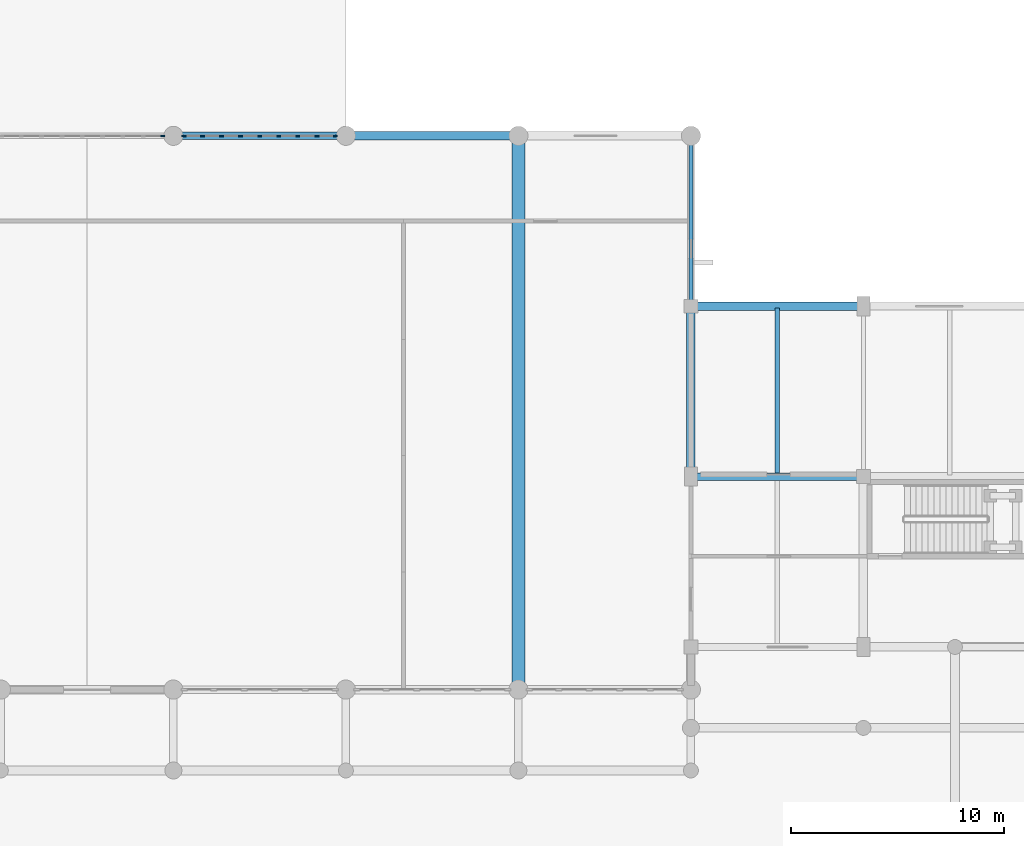
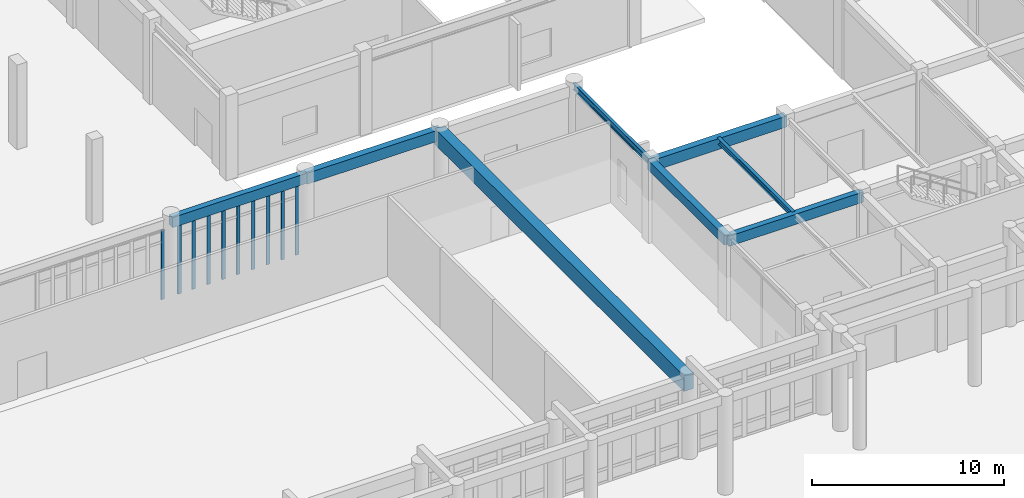
# One storey, part 11 of 62: 10 members, 8 beams, 2 elements without a shape of their own.
"""IFC4 building model written with IfcOpenShell, lengths in metres."""

from ifc_helpers import new_model, si_unit, direction, frame, origin, origin_2d, place, context, subcontext, project, spatial, rectangle, i_section, extrude, material, material_profile, profile_set, type_object, element, aggregate, save


model = new_model("IFC4")

# Units and contexts
model_context = context("Model", 3, precision=1e-05, world=origin(), true_north=direction((0.0, 1.0)))
body_context = subcontext(model_context, "Body", "Model", "MODEL_VIEW")
ifc_project = project(units=[si_unit("LENGTHUNIT", "METRE"), si_unit("AREAUNIT", "SQUARE_METRE"), si_unit("VOLUMEUNIT", "CUBIC_METRE"), si_unit("PLANEANGLEUNIT", "RADIAN"), si_unit("MASSUNIT", "GRAM", prefix="KILO")], contexts=[model_context])

# Site, building, storey
site_placement = place(None, origin())
site = spatial("IfcSite", under=ifc_project, at=site_placement, CompositionType="ELEMENT")
building_placement = place(site_placement, origin())
building = spatial("IfcBuilding", under=site, at=building_placement, Name="Tarnveldt Square Police Headquarters", CompositionType="ELEMENT")
storey_placement = place(building_placement, origin())
storey = spatial("IfcBuildingStorey", under=building, at=storey_placement, Name="L00", CompositionType="ELEMENT", Elevation=0.0)

# Beams
ifc_material_1 = material(Name="Concrete 40 MPa", Category="concrete")
ifc_material_profile_1 = material_profile(ifc_material_1, rectangle(XDim=0.39990234375, YDim=0.60009765625, at=origin_2d()), Name="RC-B400x600")
ifc_profile_set_1 = profile_set([ifc_material_profile_1], Name="Concrete 40 MPa")
beam_type_1 = type_object("IfcBeamType", Name="BM-RC400x600", PredefinedType="BEAM", material=ifc_profile_set_1)
beam_1_placement = place(storey_placement, frame((121.5, 32.0, 4.820068359375), z_axis=(0.0, 1.0, 0.0), x_axis=(-1.0, 0.0, 0.0)))
element("IfcBeam", 1, at=beam_1_placement, inside=storey, type_object=beam_type_1, Name="L01 Grid Girder Y-0425", PredefinedType="BEAM", context=body_context, shape_type="SweptSolid", body=[
    extrude(rectangle(XDim=0.39990234375, YDim=0.60009765625, at=origin_2d()), origin(), (0.0, 0.0, 1.0), 8.0),
])
ifc_material_profile_2 = material_profile(ifc_material_1, rectangle(XDim=0.39990234375, YDim=0.699951171875, at=origin_2d()), Name="RC-B400x700")
ifc_profile_set_2 = profile_set([ifc_material_profile_2], Name="Concrete 40 MPa")
beam_type_2 = type_object("IfcBeamType", Name="BM-RC400x700", PredefinedType="BEAM", material=ifc_profile_set_2)
beam_2_placement = place(storey_placement, frame((121.5, 40.0, 4.77001953125), z_axis=(1.0, 0.0, 0.0), x_axis=(0.0, 1.0, 0.0)))
element("IfcBeam", 2, at=beam_2_placement, inside=storey, type_object=beam_type_2, Name="L01 Grid Girder X-0267", PredefinedType="BEAM", context=body_context, shape_type="SweptSolid", body=[
    extrude(rectangle(XDim=0.39990234375, YDim=0.699951171875, at=origin_2d()), origin(), (0.0, 0.0, 1.0), 8.10009765625),
])
beam_3_placement = place(storey_placement, frame((105.300048828125, 48.0, 4.77001953125), z_axis=(1.0, 0.0, 0.0), x_axis=(0.0, 1.0, 0.0)))
element("IfcBeam", 3, at=beam_3_placement, inside=storey, type_object=beam_type_2, Name="L01 Grid Girder X-0278", PredefinedType="BEAM", context=body_context, shape_type="SweptSolid", body=[
    extrude(rectangle(XDim=0.39990234375, YDim=0.699951171875, at=origin_2d()), origin(), (0.0, 0.0, 1.0), 8.099853515625),
])
ifc_material_2 = material(Name="Concrete 50 MPa", Category="concrete")
ifc_material_profile_3 = material_profile(ifc_material_2, rectangle(XDim=0.60009765625, YDim=1.0, at=origin_2d()), Name="RC-B600x1000")
ifc_profile_set_3 = profile_set([ifc_material_profile_3], Name="Concrete 50 MPa")
beam_type_3 = type_object("IfcBeamType", Name="BM-RC600x1000", PredefinedType="BEAM", material=ifc_profile_set_3)
beam_4_placement = place(storey_placement, frame((113.39990234375, 22.0, 4.6201171875), z_axis=(0.0, 1.0, 0.0), x_axis=(-1.0, 0.0, 0.0)))
element("IfcBeam", 4, at=beam_4_placement, inside=storey, type_object=beam_type_3, Name="L01 Grid Girder Y-0419", PredefinedType="BEAM", context=body_context, shape_type="SweptSolid", body=[
    extrude(rectangle(XDim=0.60009765625, YDim=1.0, at=origin_2d()), origin(), (0.0, 0.0, 1.0), 26.0),
])
ifc_material_profile_4 = material_profile(ifc_material_1, rectangle(XDim=0.35009765625, YDim=0.64990234375, at=origin_2d()), Name="RC-SP350x650")
ifc_profile_set_4 = profile_set([ifc_material_profile_4], Name="Concrete 40 MPa")
beam_type_4 = type_object("IfcBeamType", Name="BM-SP350x650", PredefinedType="SPANDREL", material=ifc_profile_set_4)
for number, where, z_axis, x_axis, name in (
    (5, (121.5, 32.0, 4.794921875), (1.0, 0.0, 0.0), (0.0, 1.0, 0.0), "L01 Grid Girder X-0253"),
    (6, (97.199951171875, 48.0, 4.794921875), (1.0, 0.0, 0.0), (0.0, 1.0, 0.0), "L01 Grid Girder X-0277"),
):
    element("IfcBeam", number, at=place(storey_placement, frame(where, z_axis=z_axis, x_axis=x_axis)), inside=storey, type_object=beam_type_4, Name=name, PredefinedType="SPANDREL", context=body_context, shape_type="SweptSolid", body=[
        extrude(rectangle(XDim=0.35009765625, YDim=0.64990234375, at=origin_2d()), origin(), (0.0, 0.0, 1.0), 8.10009765625),
    ])
ifc_material_3 = material(Name="Steel 350W", Category="steel")
ifc_material_profile_5 = material_profile(ifc_material_3, i_section(OverallWidth=0.202880859375, OverallDepth=0.346923828125, WebThickness=0.0078125, FlangeThickness=0.013427734375, FilletRadius=0.01611328125, at=origin_2d()), Name="W360x64")
ifc_profile_set_5 = profile_set([ifc_material_profile_5], Name="Steel 350W")
beam_type_5 = type_object("IfcBeamType", Name="BM-W360x64", PredefinedType="JOIST", material=ifc_profile_set_5)
beam_5_placement = place(storey_placement, frame((125.550048828125, 32.080078125, 4.946533203125), z_axis=(0.0, 1.0, 0.0), x_axis=(-1.0, 0.0, 0.0)))
element("IfcBeam", 7, at=beam_5_placement, inside=storey, type_object=beam_type_5, Name="L01 Secondary Floor Joist 0059", PredefinedType="JOIST", context=body_context, shape_type="SweptSolid", body=[
    extrude(i_section(OverallWidth=0.202880859375, OverallDepth=0.346923828125, WebThickness=0.0078125, FlangeThickness=0.013427734375, FilletRadius=0.01611328125, at=origin_2d()), origin(), (0.0, 0.0, 1.0), 7.83984375),
])
ifc_material_profile_6 = material_profile(ifc_material_3, i_section(OverallWidth=0.180908203125, OverallDepth=0.4169921875, WebThickness=0.010986328125, FlangeThickness=0.018310546875, FilletRadius=0.01611328125, at=origin_2d()), Name="W410x85")
ifc_profile_set_6 = profile_set([ifc_material_profile_6], Name="Steel 350W")
beam_type_6 = type_object("IfcBeamType", Name="BM-W410x85", PredefinedType="BEAM", material=ifc_profile_set_6)
beam_6_placement = place(storey_placement, frame((121.5, 40.0, 4.91162109375), z_axis=(0.0, 1.0, 0.0), x_axis=(-1.0, 0.0, 0.0)))
element("IfcBeam", 8, at=beam_6_placement, inside=storey, type_object=beam_type_6, Name="L01 Grid Girder Y-0426", PredefinedType="BEAM", context=body_context, shape_type="SweptSolid", body=[
    extrude(i_section(OverallWidth=0.180908203125, OverallDepth=0.4169921875, WebThickness=0.010986328125, FlangeThickness=0.018310546875, FilletRadius=0.01611328125, at=origin_2d()), origin(), (0.0, 0.0, 1.0), 8.0),
])

# Curtain wall, member
ifc_material_4 = material(Name="Triple-glazed low-e laminated vision glass", Category="glass")
curtain_wall_type_1 = type_object("IfcCurtainWallType", Name="CW-CT-764x442", PredefinedType="USERDEFINED", material=ifc_material_4)
curtain_wall_1_placement = place(storey_placement, origin())
curtain_wall_1 = element("IfcCurtainWall", 9, at=curtain_wall_1_placement, inside=storey, type_object=curtain_wall_type_1, Name="L00 Curtain Wall CW-L00-016", ObjectType="GLAZED CURTAIN WALL", PredefinedType="USERDEFINED")
ifc_material_5 = material(Name="Thermally broken anodised aluminium 6063-T6", Category="aluminium")
ifc_material_profile_7 = material_profile(ifc_material_5, rectangle(XDim=0.074951171875, YDim=0.199951171875, at=origin_2d()), Name="CW-M75x200")
ifc_profile_set_7 = profile_set([ifc_material_profile_7], Name="Thermally broken anodised aluminium 6063-T6")
member_type = type_object("IfcMemberType", Name="CWM-75x200", PredefinedType="MULLION", material=ifc_profile_set_7)
member_1_placement = place(storey_placement, frame((96.697509765625, 48.0, 0.0), z_axis=(0.0, 0.0, 1.0), x_axis=(0.0, 1.0, 0.0)))
member_1 = element("IfcMember", 10, at=member_1_placement, type_object=member_type, Name="CW-CT08 mullion 9", PredefinedType="MULLION", context=body_context, shape_type="SweptSolid", body=[
    extrude(rectangle(XDim=0.074951171875, YDim=0.199951171875, at=origin_2d()), origin(), (0.0, 0.0, 1.0), 4.424072265625),
])
aggregate(curtain_wall_1, [member_1])

# Curtain wall, members
curtain_wall_type_2 = type_object("IfcCurtainWallType", Name="CW-CT-717x446", PredefinedType="USERDEFINED", material=ifc_material_4)
curtain_wall_2_placement = place(storey_placement, origin())
curtain_wall_2 = element("IfcCurtainWall", 11, at=curtain_wall_2_placement, inside=storey, type_object=curtain_wall_type_2, Name="L00 Curtain Wall CW-L00-017", ObjectType="GLAZED CURTAIN WALL", PredefinedType="USERDEFINED")
member_2_placement = place(storey_placement, frame((97.702392578125, 48.0, 0.0), z_axis=(0.0, 0.0, 1.0), x_axis=(0.0, 1.0, 0.0)))
member_2 = element("IfcMember", 12, at=member_2_placement, type_object=member_type, Name="CW-CT06 mullion 1", PredefinedType="MULLION", context=body_context, shape_type="SweptSolid", body=[
    extrude(rectangle(XDim=0.074951171875, YDim=0.199951171875, at=origin_2d()), origin(), (0.0, 0.0, 1.0), 4.4619140625),
])
member_3_placement = place(storey_placement, frame((98.561279296875, 48.0, 0.0), z_axis=(0.0, 0.0, 1.0), x_axis=(0.0, 1.0, 0.0)))
member_3 = element("IfcMember", 13, at=member_3_placement, type_object=member_type, Name="CW-CT06 mullion 2", PredefinedType="MULLION", context=body_context, shape_type="SweptSolid", body=[
    extrude(rectangle(XDim=0.074951171875, YDim=0.199951171875, at=origin_2d()), origin(), (0.0, 0.0, 1.0), 4.4619140625),
])
member_4_placement = place(storey_placement, frame((99.45751953125, 48.0, 0.0), z_axis=(0.0, 0.0, 1.0), x_axis=(0.0, 1.0, 0.0)))
member_4 = element("IfcMember", 14, at=member_4_placement, type_object=member_type, Name="CW-CT06 mullion 3", PredefinedType="MULLION", context=body_context, shape_type="SweptSolid", body=[
    extrude(rectangle(XDim=0.074951171875, YDim=0.199951171875, at=origin_2d()), origin(), (0.0, 0.0, 1.0), 4.4619140625),
])
member_5_placement = place(storey_placement, frame((100.353759765625, 48.0, 0.0), z_axis=(0.0, 0.0, 1.0), x_axis=(0.0, 1.0, 0.0)))
member_5 = element("IfcMember", 15, at=member_5_placement, type_object=member_type, Name="CW-CT06 mullion 4", PredefinedType="MULLION", context=body_context, shape_type="SweptSolid", body=[
    extrude(rectangle(XDim=0.074951171875, YDim=0.199951171875, at=origin_2d()), origin(), (0.0, 0.0, 1.0), 4.4619140625),
])
member_6_placement = place(storey_placement, frame((101.25, 48.0, 0.0), z_axis=(0.0, 0.0, 1.0), x_axis=(0.0, 1.0, 0.0)))
member_6 = element("IfcMember", 16, at=member_6_placement, type_object=member_type, Name="CW-CT06 mullion 5", PredefinedType="MULLION", context=body_context, shape_type="SweptSolid", body=[
    extrude(rectangle(XDim=0.074951171875, YDim=0.199951171875, at=origin_2d()), origin(), (0.0, 0.0, 1.0), 4.4619140625),
])
member_7_placement = place(storey_placement, frame((102.146240234375, 48.0, 0.0), z_axis=(0.0, 0.0, 1.0), x_axis=(0.0, 1.0, 0.0)))
member_7 = element("IfcMember", 17, at=member_7_placement, type_object=member_type, Name="CW-CT06 mullion 6", PredefinedType="MULLION", context=body_context, shape_type="SweptSolid", body=[
    extrude(rectangle(XDim=0.074951171875, YDim=0.199951171875, at=origin_2d()), origin(), (0.0, 0.0, 1.0), 4.4619140625),
])
member_8_placement = place(storey_placement, frame((103.04248046875, 48.0, 0.0), z_axis=(0.0, 0.0, 1.0), x_axis=(0.0, 1.0, 0.0)))
member_8 = element("IfcMember", 18, at=member_8_placement, type_object=member_type, Name="CW-CT06 mullion 7", PredefinedType="MULLION", context=body_context, shape_type="SweptSolid", body=[
    extrude(rectangle(XDim=0.074951171875, YDim=0.199951171875, at=origin_2d()), origin(), (0.0, 0.0, 1.0), 4.4619140625),
])
member_9_placement = place(storey_placement, frame((103.938720703125, 48.0, 0.0), z_axis=(0.0, 0.0, 1.0), x_axis=(0.0, 1.0, 0.0)))
member_9 = element("IfcMember", 19, at=member_9_placement, type_object=member_type, Name="CW-CT06 mullion 8", PredefinedType="MULLION", context=body_context, shape_type="SweptSolid", body=[
    extrude(rectangle(XDim=0.074951171875, YDim=0.199951171875, at=origin_2d()), origin(), (0.0, 0.0, 1.0), 4.4619140625),
])
member_10_placement = place(storey_placement, frame((104.797607421875, 48.0, 0.0), z_axis=(0.0, 0.0, 1.0), x_axis=(0.0, 1.0, 0.0)))
member_10 = element("IfcMember", 20, at=member_10_placement, type_object=member_type, Name="CW-CT06 mullion 9", PredefinedType="MULLION", context=body_context, shape_type="SweptSolid", body=[
    extrude(rectangle(XDim=0.074951171875, YDim=0.199951171875, at=origin_2d()), origin(), (0.0, 0.0, 1.0), 4.4619140625),
])
aggregate(curtain_wall_2, [member_2, member_3, member_4, member_5, member_6, member_7, member_8, member_9, member_10])

save(model, "model.ifc")
